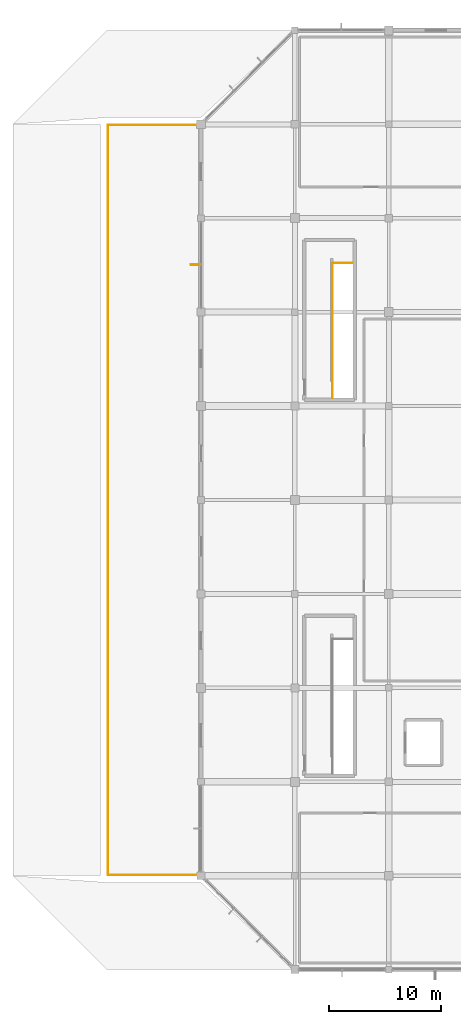
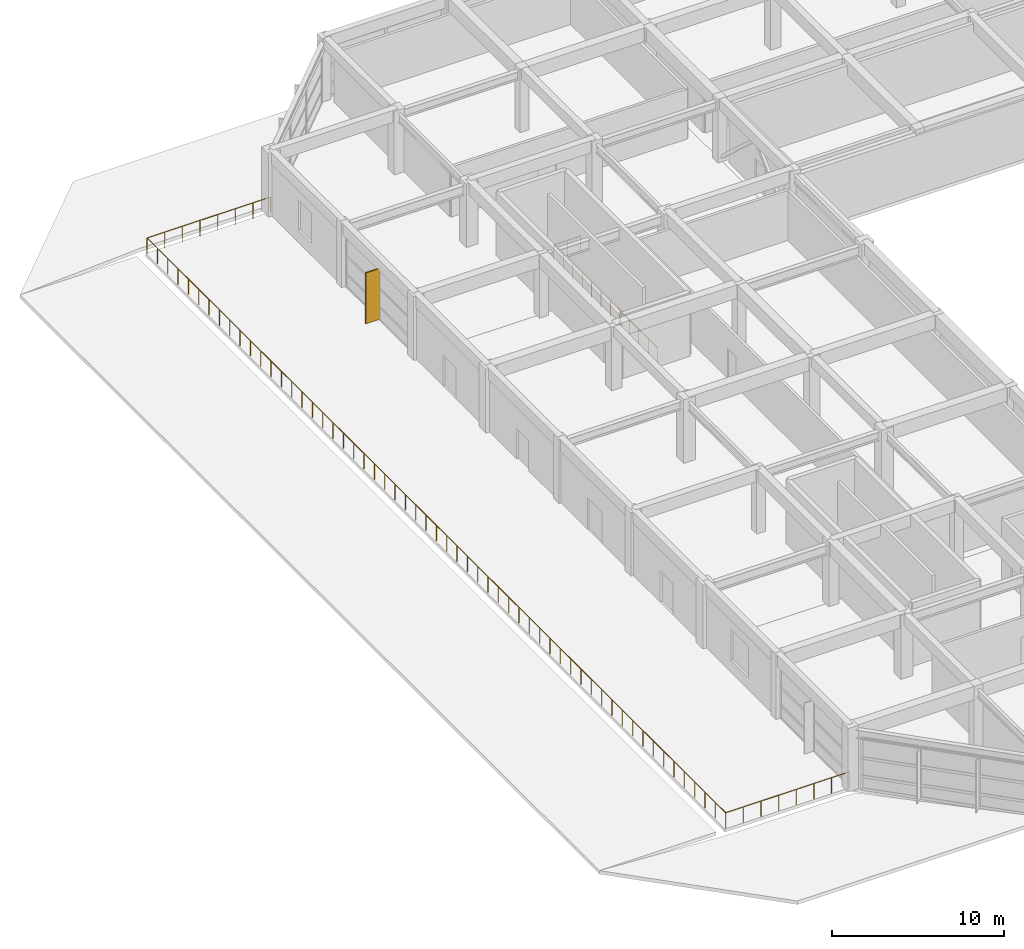
# One storey, part 50 of 56: 2 railings, 1 shading device.
"""IFC4 building model written with IfcOpenShell, lengths in metres."""

from ifc_helpers import new_model, si_unit, direction, frame, origin, origin_2d, place, context, subcontext, project, spatial, rectangle, circle, extrude, material, type_object, element, save


model = new_model("IFC4")

# Units and contexts
model_context = context("Model", 3, precision=1e-05, world=origin(), true_north=direction((0.0, 1.0)))
body_context = subcontext(model_context, "Body", "Model", "MODEL_VIEW")
ifc_project = project(units=[si_unit("LENGTHUNIT", "METRE"), si_unit("AREAUNIT", "SQUARE_METRE"), si_unit("VOLUMEUNIT", "CUBIC_METRE"), si_unit("PLANEANGLEUNIT", "RADIAN"), si_unit("MASSUNIT", "GRAM", prefix="KILO")], contexts=[model_context])

# Site, building, storey
site_placement = place(None, origin())
site = spatial("IfcSite", under=ifc_project, at=site_placement, CompositionType="ELEMENT")
building_placement = place(site_placement, origin())
building = spatial("IfcBuilding", under=site, at=building_placement, Name="Xuanlan Plaza Opera House", CompositionType="ELEMENT")
storey_placement = place(building_placement, frame((0.0, 0.0, 18.89990234375)))
storey = spatial("IfcBuildingStorey", under=building, at=storey_placement, Name="L04", CompositionType="ELEMENT", Elevation=18.89990234375)

# Railing
ifc_material_1 = material(Name="Stainless Steel S30408", Category="steel")
railing_type_1 = type_object("IfcRailingType", Name="ENV-RL-GR02", PredefinedType="GUARDRAIL", material=ifc_material_1)
railing_1_placement = place(storey_placement, frame((16.75, 25.25, 0.0)))
element("IfcRailing", 1, at=railing_1_placement, inside=storey, type_object=railing_type_1, Name="Terrace Perimeter Guardrail TERR-L04", PredefinedType="GUARDRAIL", context=body_context, shape_type="SweptSolid", body=[
    extrude(circle(Radius=0.02392578125, at=origin_2d()), frame((0.0, 0.0, 1.09619140625), z_axis=(-1.0, 0.0, 0.0), x_axis=(0.0, -1.0, 0.0)), (0.0, 0.0, 1.0), 8.27001953125),
    extrude(circle(Radius=0.02392578125, at=origin_2d()), frame((-8.27001953125, 0.0, 1.09619140625), z_axis=(0.0, 1.0, 0.0), x_axis=(-1.0, 0.0, 0.0)), (0.0, 0.0, 1.0), 67.10009765625),
    extrude(circle(Radius=0.02392578125, at=origin_2d()), frame((-8.27001953125, 67.10009765625, 1.09619140625), z_axis=(1.0, 0.0, 0.0), x_axis=(0.0, 1.0, 0.0)), (0.0, 0.0, 1.0), 8.27001953125),
    extrude(circle(Radius=0.02099609375, at=origin_2d()), origin(), (0.0, 0.0, 1.0), 1.072021484375),
    extrude(circle(Radius=0.02099609375, at=origin_2d()), frame((-1.181396484375, 0.0, 0.0)), (0.0, 0.0, 1.0), 1.072021484375),
    extrude(circle(Radius=0.02099609375, at=origin_2d()), frame((-2.36279296875, 0.0, 0.0)), (0.0, 0.0, 1.0), 1.072021484375),
    extrude(circle(Radius=0.02099609375, at=origin_2d()), frame((-3.544189453125, 0.0, 0.0)), (0.0, 0.0, 1.0), 1.072021484375),
    extrude(circle(Radius=0.02099609375, at=origin_2d()), frame((-4.725830078125, 0.0, 0.0)), (0.0, 0.0, 1.0), 1.072021484375),
    extrude(circle(Radius=0.02099609375, at=origin_2d()), frame((-5.9072265625, 0.0, 0.0)), (0.0, 0.0, 1.0), 1.072021484375),
    extrude(circle(Radius=0.02099609375, at=origin_2d()), frame((-7.088623046875, 0.0, 0.0)), (0.0, 0.0, 1.0), 1.072021484375),
    extrude(circle(Radius=0.02099609375, at=origin_2d()), frame((-8.27001953125, 0.0, 0.0)), (0.0, 0.0, 1.0), 1.072021484375),
    extrude(circle(Radius=0.02099609375, at=origin_2d()), frame((-8.27001953125, 1.1982421875, 0.0)), (0.0, 0.0, 1.0), 1.072021484375),
    extrude(circle(Radius=0.02099609375, at=origin_2d()), frame((-8.27001953125, 2.396484375, 0.0)), (0.0, 0.0, 1.0), 1.072021484375),
    extrude(circle(Radius=0.02099609375, at=origin_2d()), frame((-8.27001953125, 3.5947265625, 0.0)), (0.0, 0.0, 1.0), 1.072021484375),
    extrude(circle(Radius=0.02099609375, at=origin_2d()), frame((-8.27001953125, 4.79296875, 0.0)), (0.0, 0.0, 1.0), 1.072021484375),
    extrude(circle(Radius=0.02099609375, at=origin_2d()), frame((-8.27001953125, 5.990966796875, 0.0)), (0.0, 0.0, 1.0), 1.072021484375),
    extrude(circle(Radius=0.02099609375, at=origin_2d()), frame((-8.27001953125, 7.189208984375, 0.0)), (0.0, 0.0, 1.0), 1.072021484375),
    extrude(circle(Radius=0.02099609375, at=origin_2d()), frame((-8.27001953125, 8.387451171875, 0.0)), (0.0, 0.0, 1.0), 1.072021484375),
    extrude(circle(Radius=0.02099609375, at=origin_2d()), frame((-8.27001953125, 9.585693359375, 0.0)), (0.0, 0.0, 1.0), 1.072021484375),
    extrude(circle(Radius=0.02099609375, at=origin_2d()), frame((-8.27001953125, 10.783935546875, 0.0)), (0.0, 0.0, 1.0), 1.072021484375),
    extrude(circle(Radius=0.02099609375, at=origin_2d()), frame((-8.27001953125, 11.982177734375, 0.0)), (0.0, 0.0, 1.0), 1.072021484375),
    extrude(circle(Radius=0.02099609375, at=origin_2d()), frame((-8.27001953125, 13.180419921875, 0.0)), (0.0, 0.0, 1.0), 1.072021484375),
    extrude(circle(Radius=0.02099609375, at=origin_2d()), frame((-8.27001953125, 14.378662109375, 0.0)), (0.0, 0.0, 1.0), 1.072021484375),
    extrude(circle(Radius=0.02099609375, at=origin_2d()), frame((-8.27001953125, 15.576904296875, 0.0)), (0.0, 0.0, 1.0), 1.072021484375),
    extrude(circle(Radius=0.02099609375, at=origin_2d()), frame((-8.27001953125, 16.77490234375, 0.0)), (0.0, 0.0, 1.0), 1.072021484375),
    extrude(circle(Radius=0.02099609375, at=origin_2d()), frame((-8.27001953125, 17.97314453125, 0.0)), (0.0, 0.0, 1.0), 1.072021484375),
    extrude(circle(Radius=0.02099609375, at=origin_2d()), frame((-8.27001953125, 19.17138671875, 0.0)), (0.0, 0.0, 1.0), 1.072021484375),
    extrude(circle(Radius=0.02099609375, at=origin_2d()), frame((-8.27001953125, 20.36962890625, 0.0)), (0.0, 0.0, 1.0), 1.072021484375),
    extrude(circle(Radius=0.02099609375, at=origin_2d()), frame((-8.27001953125, 21.56787109375, 0.0)), (0.0, 0.0, 1.0), 1.072021484375),
    extrude(circle(Radius=0.02099609375, at=origin_2d()), frame((-8.27001953125, 22.76611328125, 0.0)), (0.0, 0.0, 1.0), 1.072021484375),
    extrude(circle(Radius=0.02099609375, at=origin_2d()), frame((-8.27001953125, 23.96435546875, 0.0)), (0.0, 0.0, 1.0), 1.072021484375),
    extrude(circle(Radius=0.02099609375, at=origin_2d()), frame((-8.27001953125, 25.16259765625, 0.0)), (0.0, 0.0, 1.0), 1.072021484375),
    extrude(circle(Radius=0.02099609375, at=origin_2d()), frame((-8.27001953125, 26.36083984375, 0.0)), (0.0, 0.0, 1.0), 1.072021484375),
    extrude(circle(Radius=0.02099609375, at=origin_2d()), frame((-8.27001953125, 27.55908203125, 0.0)), (0.0, 0.0, 1.0), 1.072021484375),
    extrude(circle(Radius=0.02099609375, at=origin_2d()), frame((-8.27001953125, 28.757080078125, 0.0)), (0.0, 0.0, 1.0), 1.072021484375),
    extrude(circle(Radius=0.02099609375, at=origin_2d()), frame((-8.27001953125, 29.955322265625, 0.0)), (0.0, 0.0, 1.0), 1.072021484375),
    extrude(circle(Radius=0.02099609375, at=origin_2d()), frame((-8.27001953125, 31.153564453125, 0.0)), (0.0, 0.0, 1.0), 1.072021484375),
    extrude(circle(Radius=0.02099609375, at=origin_2d()), frame((-8.27001953125, 32.351806640625, 0.0)), (0.0, 0.0, 1.0), 1.072021484375),
    extrude(circle(Radius=0.02099609375, at=origin_2d()), frame((-8.27001953125, 33.550048828125, 0.0)), (0.0, 0.0, 1.0), 1.072021484375),
    extrude(circle(Radius=0.02099609375, at=origin_2d()), frame((-8.27001953125, 34.748291015625, 0.0)), (0.0, 0.0, 1.0), 1.072021484375),
    extrude(circle(Radius=0.02099609375, at=origin_2d()), frame((-8.27001953125, 35.946533203125, 0.0)), (0.0, 0.0, 1.0), 1.072021484375),
    extrude(circle(Radius=0.02099609375, at=origin_2d()), frame((-8.27001953125, 37.144775390625, 0.0)), (0.0, 0.0, 1.0), 1.072021484375),
    extrude(circle(Radius=0.02099609375, at=origin_2d()), frame((-8.27001953125, 38.343017578125, 0.0)), (0.0, 0.0, 1.0), 1.072021484375),
    extrude(circle(Radius=0.02099609375, at=origin_2d()), frame((-8.27001953125, 39.541015625, 0.0)), (0.0, 0.0, 1.0), 1.072021484375),
    extrude(circle(Radius=0.02099609375, at=origin_2d()), frame((-8.27001953125, 40.7392578125, 0.0)), (0.0, 0.0, 1.0), 1.072021484375),
    extrude(circle(Radius=0.02099609375, at=origin_2d()), frame((-8.27001953125, 41.9375, 0.0)), (0.0, 0.0, 1.0), 1.072021484375),
    extrude(circle(Radius=0.02099609375, at=origin_2d()), frame((-8.27001953125, 43.1357421875, 0.0)), (0.0, 0.0, 1.0), 1.072021484375),
    extrude(circle(Radius=0.02099609375, at=origin_2d()), frame((-8.27001953125, 44.333984375, 0.0)), (0.0, 0.0, 1.0), 1.072021484375),
    extrude(circle(Radius=0.02099609375, at=origin_2d()), frame((-8.27001953125, 45.5322265625, 0.0)), (0.0, 0.0, 1.0), 1.072021484375),
    extrude(circle(Radius=0.02099609375, at=origin_2d()), frame((-8.27001953125, 46.73046875, 0.0)), (0.0, 0.0, 1.0), 1.072021484375),
    extrude(circle(Radius=0.02099609375, at=origin_2d()), frame((-8.27001953125, 47.9287109375, 0.0)), (0.0, 0.0, 1.0), 1.072021484375),
    extrude(circle(Radius=0.02099609375, at=origin_2d()), frame((-8.27001953125, 49.126953125, 0.0)), (0.0, 0.0, 1.0), 1.072021484375),
    extrude(circle(Radius=0.02099609375, at=origin_2d()), frame((-8.27001953125, 50.3251953125, 0.0)), (0.0, 0.0, 1.0), 1.072021484375),
    extrude(circle(Radius=0.02099609375, at=origin_2d()), frame((-8.27001953125, 51.523193359375, 0.0)), (0.0, 0.0, 1.0), 1.072021484375),
    extrude(circle(Radius=0.02099609375, at=origin_2d()), frame((-8.27001953125, 52.721435546875, 0.0)), (0.0, 0.0, 1.0), 1.072021484375),
    extrude(circle(Radius=0.02099609375, at=origin_2d()), frame((-8.27001953125, 53.919677734375, 0.0)), (0.0, 0.0, 1.0), 1.072021484375),
    extrude(circle(Radius=0.02099609375, at=origin_2d()), frame((-8.27001953125, 55.117919921875, 0.0)), (0.0, 0.0, 1.0), 1.072021484375),
    extrude(circle(Radius=0.02099609375, at=origin_2d()), frame((-8.27001953125, 56.316162109375, 0.0)), (0.0, 0.0, 1.0), 1.072021484375),
    extrude(circle(Radius=0.02099609375, at=origin_2d()), frame((-8.27001953125, 57.514404296875, 0.0)), (0.0, 0.0, 1.0), 1.072021484375),
    extrude(circle(Radius=0.02099609375, at=origin_2d()), frame((-8.27001953125, 58.712646484375, 0.0)), (0.0, 0.0, 1.0), 1.072021484375),
    extrude(circle(Radius=0.02099609375, at=origin_2d()), frame((-8.27001953125, 59.910888671875, 0.0)), (0.0, 0.0, 1.0), 1.072021484375),
    extrude(circle(Radius=0.02099609375, at=origin_2d()), frame((-8.27001953125, 61.109130859375, 0.0)), (0.0, 0.0, 1.0), 1.072021484375),
    extrude(circle(Radius=0.02099609375, at=origin_2d()), frame((-8.27001953125, 62.30712890625, 0.0)), (0.0, 0.0, 1.0), 1.072021484375),
    extrude(circle(Radius=0.02099609375, at=origin_2d()), frame((-8.27001953125, 63.50537109375, 0.0)), (0.0, 0.0, 1.0), 1.072021484375),
    extrude(circle(Radius=0.02099609375, at=origin_2d()), frame((-8.27001953125, 64.70361328125, 0.0)), (0.0, 0.0, 1.0), 1.072021484375),
    extrude(circle(Radius=0.02099609375, at=origin_2d()), frame((-8.27001953125, 65.90185546875, 0.0)), (0.0, 0.0, 1.0), 1.072021484375),
    extrude(circle(Radius=0.02099609375, at=origin_2d()), frame((-8.27001953125, 67.10009765625, 0.0)), (0.0, 0.0, 1.0), 1.072021484375),
    extrude(circle(Radius=0.02099609375, at=origin_2d()), frame((-7.088623046875, 67.10009765625, 0.0)), (0.0, 0.0, 1.0), 1.072021484375),
    extrude(circle(Radius=0.02099609375, at=origin_2d()), frame((-5.9072265625, 67.10009765625, 0.0)), (0.0, 0.0, 1.0), 1.072021484375),
    extrude(circle(Radius=0.02099609375, at=origin_2d()), frame((-4.725830078125, 67.10009765625, 0.0)), (0.0, 0.0, 1.0), 1.072021484375),
    extrude(circle(Radius=0.02099609375, at=origin_2d()), frame((-3.544189453125, 67.10009765625, 0.0)), (0.0, 0.0, 1.0), 1.072021484375),
    extrude(circle(Radius=0.02099609375, at=origin_2d()), frame((-2.36279296875, 67.10009765625, 0.0)), (0.0, 0.0, 1.0), 1.072021484375),
    extrude(circle(Radius=0.02099609375, at=origin_2d()), frame((-1.181396484375, 67.10009765625, 0.0)), (0.0, 0.0, 1.0), 1.072021484375),
    extrude(circle(Radius=0.02099609375, at=origin_2d()), frame((0.0, 67.10009765625, 0.0)), (0.0, 0.0, 1.0), 1.072021484375),
])

# Shading device
ifc_material_2 = material(Name="Anodised Aluminium 6063-T6", Category="aluminium")
shading_device_type = type_object("IfcShadingDeviceType", Name="ENV-SHD-BRS02", PredefinedType="JALOUSIE", material=ifc_material_2)
shading_device_placement = place(storey_placement, frame((16.3349609375, 79.824951171875, 0.0400390625), z_axis=(0.0, 0.0, 1.0), x_axis=(-1.0, 0.0, 0.0)))
element("IfcShadingDevice", 2, at=shading_device_placement, inside=storey, type_object=shading_device_type, Name="Parametric Sunshade Fin L04-0240", PredefinedType="JALOUSIE", context=body_context, shape_type="SweptSolid", body=[
    extrude(rectangle(XDim=0.919921875, YDim=0.080078125, at=origin_2d()), origin(), (0.0, 0.0, 1.0), 3.60009765625),
])

# Railing
ifc_material_3 = material(Name="Galvanised Steel Q235B", Category="steel")
railing_type_2 = type_object("IfcRailingType", Name="INT-RL-GR04", PredefinedType="GUARDRAIL", material=ifc_material_3)
railing_2_placement = place(storey_placement, frame((30.3701171875, 79.97509765625, 0.0)))
element("IfcRailing", 3, at=railing_2_placement, inside=storey, type_object=railing_type_2, Name="Top Stairwell Guardrail ST-P2 L04", PredefinedType="GUARDRAIL", context=body_context, shape_type="SweptSolid", body=[
    extrude(circle(Radius=0.02392578125, at=origin_2d()), frame((0.0, 0.0, 1.076171875), z_axis=(-1.0, 0.0, 0.0), x_axis=(0.0, -1.0, 0.0)), (0.0, 0.0, 1.0), 1.800048828125),
    extrude(circle(Radius=0.02392578125, at=origin_2d()), frame((-1.800048828125, 0.0, 1.076171875), z_axis=(0.0, -1.0, 0.0), x_axis=(1.0, 0.0, 0.0)), (0.0, 0.0, 1.0), 12.03515625),
    extrude(circle(Radius=0.02099609375, at=origin_2d()), origin(), (0.0, 0.0, 1.0), 1.052001953125),
    extrude(circle(Radius=0.02099609375, at=origin_2d()), frame((-0.89990234375, 0.0, 0.0)), (0.0, 0.0, 1.0), 1.052001953125),
    extrude(circle(Radius=0.02099609375, at=origin_2d()), frame((-1.800048828125, 0.0, 0.0)), (0.0, 0.0, 1.0), 1.052001953125),
    extrude(circle(Radius=0.02099609375, at=origin_2d()), frame((-1.800048828125, -1.093994140625, 0.0)), (0.0, 0.0, 1.0), 1.052001953125),
    extrude(circle(Radius=0.02099609375, at=origin_2d()), frame((-1.800048828125, -2.188232421875, 0.0)), (0.0, 0.0, 1.0), 1.052001953125),
    extrude(circle(Radius=0.02099609375, at=origin_2d()), frame((-1.800048828125, -3.2822265625, 0.0)), (0.0, 0.0, 1.0), 1.052001953125),
    extrude(circle(Radius=0.02099609375, at=origin_2d()), frame((-1.800048828125, -4.37646484375, 0.0)), (0.0, 0.0, 1.0), 1.052001953125),
    extrude(circle(Radius=0.02099609375, at=origin_2d()), frame((-1.800048828125, -5.470458984375, 0.0)), (0.0, 0.0, 1.0), 1.052001953125),
    extrude(circle(Radius=0.02099609375, at=origin_2d()), frame((-1.800048828125, -6.564697265625, 0.0)), (0.0, 0.0, 1.0), 1.052001953125),
    extrude(circle(Radius=0.02099609375, at=origin_2d()), frame((-1.800048828125, -7.65869140625, 0.0)), (0.0, 0.0, 1.0), 1.052001953125),
    extrude(circle(Radius=0.02099609375, at=origin_2d()), frame((-1.800048828125, -8.7529296875, 0.0)), (0.0, 0.0, 1.0), 1.052001953125),
    extrude(circle(Radius=0.02099609375, at=origin_2d()), frame((-1.800048828125, -9.846923828125, 0.0)), (0.0, 0.0, 1.0), 1.052001953125),
    extrude(circle(Radius=0.02099609375, at=origin_2d()), frame((-1.800048828125, -10.941162109375, 0.0)), (0.0, 0.0, 1.0), 1.052001953125),
    extrude(circle(Radius=0.02099609375, at=origin_2d()), frame((-1.800048828125, -12.03515625, 0.0)), (0.0, 0.0, 1.0), 1.052001953125),
])

save(model, "model.ifc")
